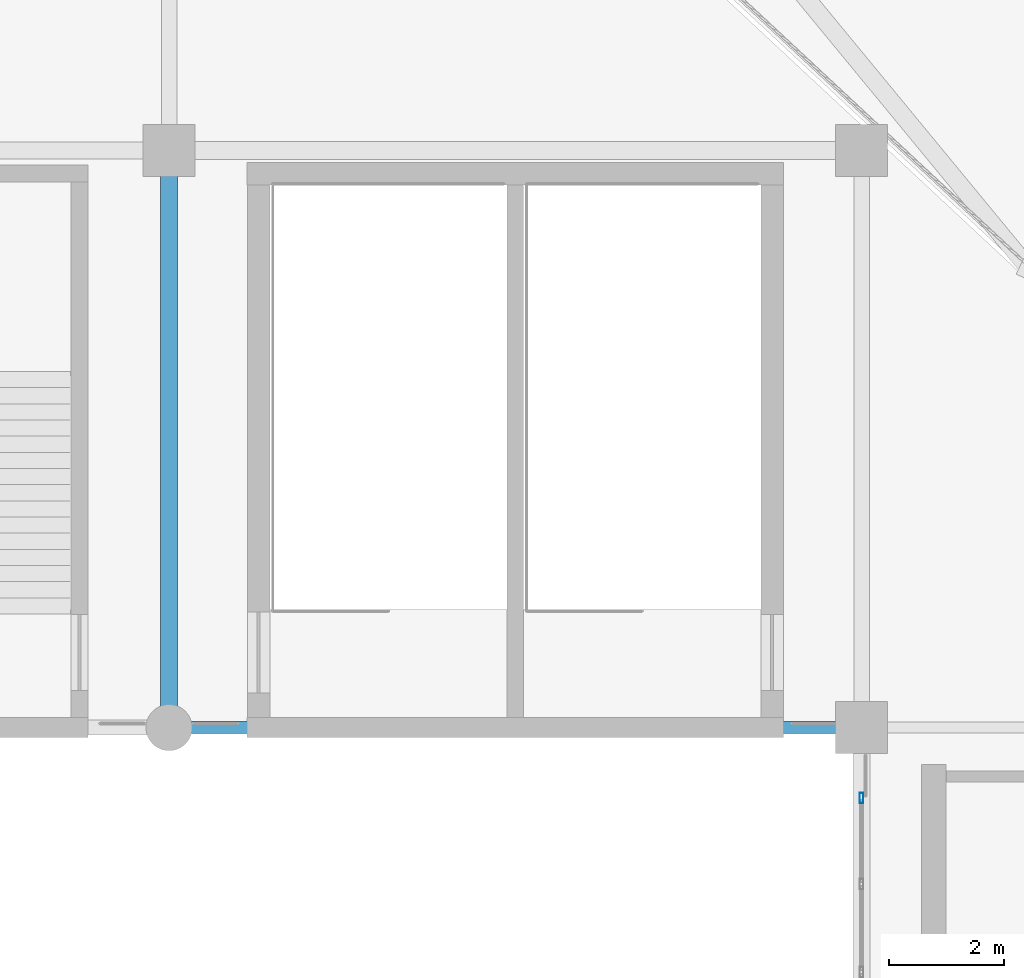
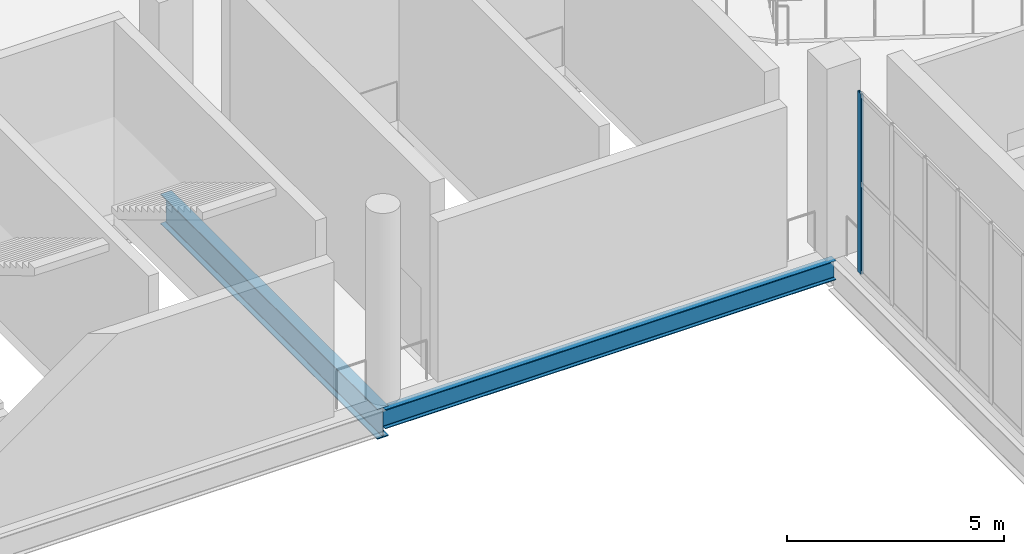
# One storey, part 7 of 74: 2 beams, 1 member, 1 element without a shape of its own.
"""IFC4 building model written with IfcOpenShell, lengths in metres."""

from ifc_helpers import new_model, si_unit, direction, frame, origin, origin_2d, place, context, subcontext, project, spatial, hollow_rectangle, i_section, extrude, material, layer, layer_set, material_profile, profile_set, type_object, element, aggregate, save


model = new_model("IFC4")

# Units and contexts
model_context = context("Model", 3, precision=1e-05, world=origin(), true_north=direction((0.0, 1.0)))
body_context = subcontext(model_context, "Body", "Model", "MODEL_VIEW")
ifc_project = project(units=[si_unit("LENGTHUNIT", "METRE"), si_unit("AREAUNIT", "SQUARE_METRE"), si_unit("VOLUMEUNIT", "CUBIC_METRE"), si_unit("PLANEANGLEUNIT", "RADIAN"), si_unit("MASSUNIT", "GRAM", prefix="KILO")], contexts=[model_context])

# Site, building, storey
site_placement = place(None, origin())
site = spatial("IfcSite", under=ifc_project, at=site_placement, CompositionType="ELEMENT")
building_placement = place(site_placement, origin())
building = spatial("IfcBuilding", under=site, at=building_placement, Name="Brinegate Civic Arena", CompositionType="ELEMENT")
storey_placement = place(building_placement, frame((0.0, 0.0, 19.199951171875)))
storey = spatial("IfcBuildingStorey", under=building, at=storey_placement, Name="L04", CompositionType="ELEMENT", Elevation=19.199951171875)

# Curtain wall, member
ifc_material_1 = material(Name="Marine grade aluminium", Category="aluminium")
ifc_layer = layer(ifc_material_1, 0.25, Name="Marine grade aluminium")
ifc_layer_set = layer_set([ifc_layer], Name="Marine grade aluminium")
curtain_wall_type = type_object("IfcCurtainWallType", Name="CW-PORTAL-SOUTH-02", PredefinedType="USERDEFINED", material=ifc_layer_set)
curtain_wall_placement = place(storey_placement, origin())
curtain_wall = element("IfcCurtainWall", 1, at=curtain_wall_placement, inside=storey, type_object=curtain_wall_type, Name="Curtain Wall CWA-150", ObjectType="PORTAL CURTAIN WALL", PredefinedType="USERDEFINED")
ifc_material_profile_1 = material_profile(ifc_material_1, hollow_rectangle(XDim=0.06494140625, YDim=0.179931640625, WallThickness=0.0048828125, InnerFilletRadius=0.00390625, OuterFilletRadius=0.008056640625, at=origin_2d()), Name="MUL65X180")
ifc_profile_set_1 = profile_set([ifc_material_profile_1], Name="Marine grade aluminium")
member_type = type_object("IfcMemberType", Name="CW-MULLION-65X180", PredefinedType="MULLION", material=ifc_profile_set_1)
member_placement = place(storey_placement, frame((84.0, 8.781494140625, 0.0), z_axis=(0.0, 0.0, 1.0), x_axis=(-1.0, 0.0, 0.0)))
member = element("IfcMember", 2, at=member_placement, type_object=member_type, Name="CWA-150 mullion 6", PredefinedType="MULLION", context=body_context, shape_type="SweptSolid", body=[
    extrude(hollow_rectangle(XDim=0.06494140625, YDim=0.179931640625, WallThickness=0.0048828125, InnerFilletRadius=0.00390625, OuterFilletRadius=0.008056640625, at=origin_2d()), origin(), (0.0, 0.0, 1.0), 5.070068359375),
])
aggregate(curtain_wall, [member])

# Beams
ifc_material_2 = material(Name="Steel S355", Category="steel")
ifc_material_profile_2 = material_profile(ifc_material_2, i_section(OverallWidth=0.2939453125, OverallDepth=0.85107421875, WebThickness=0.01611328125, FlangeThickness=0.027099609375, FilletRadius=0.02197265625, at=origin_2d()), Name="W840X226")
ifc_profile_set_2 = profile_set([ifc_material_profile_2], Name="Steel S355")
beam_type_1 = type_object("IfcBeamType", Name="GIRDER-W840X226", PredefinedType="BEAM", material=ifc_profile_set_2)
beam_1_placement = place(storey_placement, frame((72.0, 10.0, -0.764892578125), z_axis=(0.0, 1.0, 0.0), x_axis=(-1.0, 0.0, 0.0)))
element("IfcBeam", 3, at=beam_1_placement, inside=storey, type_object=beam_type_1, Name="Floor Girder BM-L04-GY-06-01", PredefinedType="BEAM", context=body_context, shape_type="SweptSolid", body=[
    extrude(i_section(OverallWidth=0.2939453125, OverallDepth=0.85107421875, WebThickness=0.01611328125, FlangeThickness=0.027099609375, FilletRadius=0.02197265625, at=origin_2d()), origin(), (0.0, 0.0, 1.0), 10.0),
])
ifc_material_profile_3 = material_profile(ifc_material_2, i_section(OverallWidth=0.2119140625, OverallDepth=0.5439453125, WebThickness=0.012939453125, FlangeThickness=0.02099609375, FilletRadius=0.01611328125, at=origin_2d()), Name="W530X123")
ifc_profile_set_3 = profile_set([ifc_material_profile_3], Name="Steel S355")
beam_type_2 = type_object("IfcBeamType", Name="SPANDREL-W530X123", PredefinedType="SPANDREL", material=ifc_profile_set_3)
beam_2_placement = place(storey_placement, frame((72.0, 10.0, -0.612060546875), z_axis=(1.0, 0.0, 0.0), x_axis=(0.0, 1.0, 0.0)))
element("IfcBeam", 4, at=beam_2_placement, inside=storey, type_object=beam_type_2, Name="Floor Girder BM-L04-GX-06-01", PredefinedType="SPANDREL", context=body_context, shape_type="SweptSolid", body=[
    extrude(i_section(OverallWidth=0.2119140625, OverallDepth=0.5439453125, WebThickness=0.012939453125, FlangeThickness=0.02099609375, FilletRadius=0.01611328125, at=origin_2d()), origin(), (0.0, 0.0, 1.0), 12.0),
])

save(model, "model.ifc")
